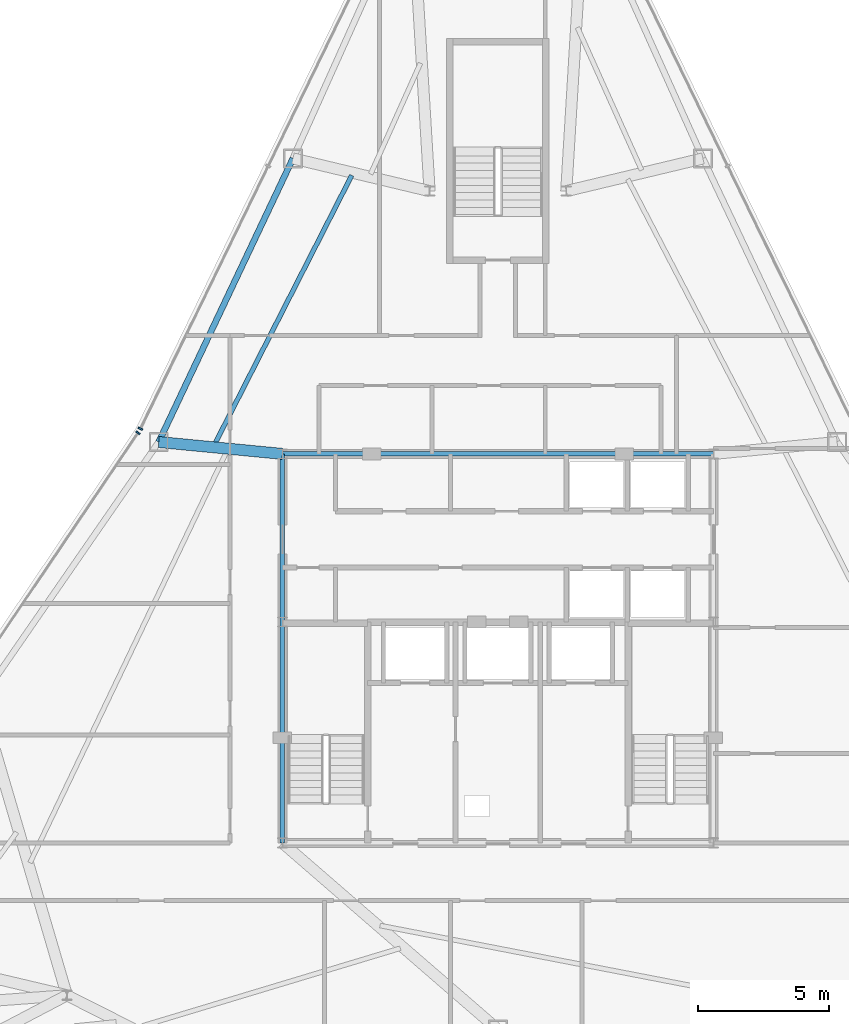
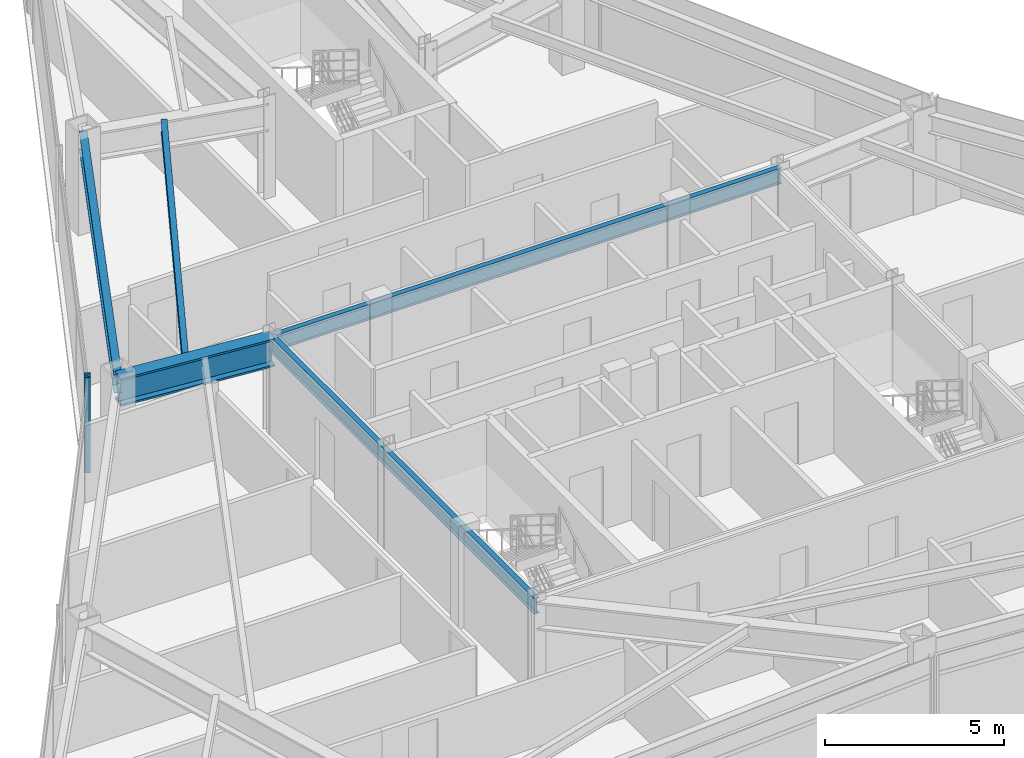
# One storey, part 5 of 12: 5 beams, 2 members, 2 elements without a shape of their own.
"""IFC4 building model written with IfcOpenShell, lengths in metres."""

from ifc_helpers import new_model, si_unit, direction, frame, origin, origin_2d, place, context, subcontext, project, spatial, rectangle, i_section, extrude, source, transform, mapped, material, layer, layer_set, material_profile, profile_set, type_object, type_shapes, element, aggregate, save


model = new_model("IFC4")

# Units and contexts
model_context = context("Model", 3, precision=1e-05, world=origin(), true_north=direction((0.0, 1.0)))
body_context = subcontext(model_context, "Body", "Model", "MODEL_VIEW")
ifc_project = project(units=[si_unit("LENGTHUNIT", "METRE"), si_unit("AREAUNIT", "SQUARE_METRE"), si_unit("VOLUMEUNIT", "CUBIC_METRE"), si_unit("PLANEANGLEUNIT", "RADIAN"), si_unit("MASSUNIT", "GRAM", prefix="KILO")], contexts=[model_context])

# Site, building, storey
site_placement = place(None, origin())
site = spatial("IfcSite", under=ifc_project, at=site_placement, CompositionType="ELEMENT")
building_placement = place(site_placement, origin())
building = spatial("IfcBuilding", under=site, at=building_placement, Name="Varakhsha Concourse Tower", CompositionType="ELEMENT")
storey_placement = place(building_placement, frame((0.0, 0.0, 208.39990234375)))
storey = spatial("IfcBuildingStorey", under=building, at=storey_placement, Name="L59", CompositionType="ELEMENT", Elevation=208.39990234375)

# Beams
ifc_material_1 = material(Name="Structural Steel ASTM A992 Grade 50", Category="steel")
ifc_material_profile_1 = material_profile(ifc_material_1, i_section(OverallWidth=0.177978515625, OverallDepth=0.406982421875, WebThickness=0.008056640625, FlangeThickness=0.012939453125, at=origin_2d()), Name="W16X40")
ifc_profile_set_1 = profile_set([ifc_material_profile_1], Name="Structural Steel ASTM A992 Grade 50")
beam_type_1 = type_object("IfcBeamType", Name="BM-JST-W16X40", PredefinedType="JOIST", material=ifc_profile_set_1)
beam_1_placement = place(storey_placement, frame((34.43798828125, 41.7978515625, 3.046630859375), z_axis=(-0.454162340778, -0.890918945931, 0.0), x_axis=(0.890918945931, -0.454162340778, 0.0)))
element("IfcBeam", 1, at=beam_1_placement, inside=storey, type_object=beam_type_1, Name="BM-TJST-L59-04", PredefinedType="JOIST", context=body_context, shape_type="SweptSolid", body=[
    extrude(i_section(OverallWidth=0.177978515625, OverallDepth=0.406982421875, WebThickness=0.008056640625, FlangeThickness=0.012939453125, at=origin_2d()), origin(), (0.0, 0.0, 1.0), 11.501708984375),
])
ifc_material_profile_2 = material_profile(ifc_material_1, i_section(OverallWidth=0.423095703125, OverallDepth=0.947998046875, WebThickness=0.0380859375, FlangeThickness=0.06396484375, at=origin_2d()), Name="W36X302")
ifc_profile_set_2 = profile_set([ifc_material_profile_2], Name="Structural Steel ASTM A992 Grade 50")
beam_type_2 = type_object("IfcBeamType", Name="BM-OUTR-W36X302", PredefinedType="USERDEFINED", material=ifc_profile_set_2)
beam_2_placement = place(storey_placement, frame((31.800048828125, 31.199951171875, 2.776123046875), z_axis=(-0.995426515274, 0.095530375746, 0.0), x_axis=(-0.095530375746, -0.995426515274, 0.0)))
element("IfcBeam", 2, at=beam_2_placement, inside=storey, type_object=beam_type_2, Name="L59 Radial Floor Girder 05", ObjectType="GIRDER", PredefinedType="USERDEFINED", context=body_context, shape_type="SweptSolid", body=[
    extrude(i_section(OverallWidth=0.423095703125, OverallDepth=0.947998046875, WebThickness=0.0380859375, FlangeThickness=0.06396484375, at=origin_2d()), origin(), (0.0, 0.0, 1.0), 4.72802734375),
])
ifc_material_profile_3 = material_profile(ifc_material_1, i_section(OverallWidth=0.1669921875, OverallDepth=0.534912109375, WebThickness=0.010009765625, FlangeThickness=0.01708984375, at=origin_2d()), Name="W21X57")
ifc_profile_set_3 = profile_set([ifc_material_profile_3], Name="Structural Steel ASTM A992 Grade 50")
beam_type_3 = type_object("IfcBeamType", Name="BM-RAD-W21X57", PredefinedType="BEAM", material=ifc_profile_set_3)
beam_3_placement = place(storey_placement, frame((31.800048828125, 31.199951171875, 2.982666015625), z_axis=(1.0, 0.0, 0.0), x_axis=(0.0, 1.0, 0.0)))
element("IfcBeam", 3, at=beam_3_placement, inside=storey, type_object=beam_type_3, Name="BM-TCORE-L59-CN", PredefinedType="BEAM", context=body_context, shape_type="SweptSolid", body=[
    extrude(i_section(OverallWidth=0.1669921875, OverallDepth=0.534912109375, WebThickness=0.010009765625, FlangeThickness=0.01708984375, at=origin_2d()), origin(), (0.0, 0.0, 1.0), 16.39990234375),
])
beam_4_placement = place(storey_placement, frame((31.800048828125, 16.39990234375, 2.982666015625), z_axis=(0.0, 1.0, 0.0), x_axis=(-1.0, 0.0, 0.0)))
element("IfcBeam", 4, at=beam_4_placement, inside=storey, type_object=beam_type_3, Name="BM-TCORE-L59-CW", PredefinedType="BEAM", context=body_context, shape_type="SweptSolid", body=[
    extrude(i_section(OverallWidth=0.1669921875, OverallDepth=0.534912109375, WebThickness=0.010009765625, FlangeThickness=0.01708984375, at=origin_2d()), origin(), (0.0, 0.0, 1.0), 14.800048828125),
])
ifc_material_profile_4 = material_profile(ifc_material_1, i_section(OverallWidth=0.22900390625, OverallDepth=0.612060546875, WebThickness=0.011962890625, FlangeThickness=0.02001953125, at=origin_2d()), Name="W24X84")
ifc_profile_set_4 = profile_set([ifc_material_profile_4], Name="Structural Steel ASTM A992 Grade 50")
beam_type_4 = type_object("IfcBeamType", Name="BM-SPAN-W24X84", PredefinedType="SPANDREL", material=ifc_profile_set_4)
beam_5_placement = place(storey_placement, frame((32.199951171875, 42.442626953125, 2.944091796875), z_axis=(-0.427721486509, -0.903910576318, 0.0), x_axis=(0.903910576318, -0.427721486509, 0.0)))
element("IfcBeam", 5, at=beam_5_placement, inside=storey, type_object=beam_type_4, Name="BM-SPAN-L59-04", PredefinedType="SPANDREL", context=body_context, shape_type="SweptSolid", body=[
    extrude(i_section(OverallWidth=0.22900390625, OverallDepth=0.612060546875, WebThickness=0.011962890625, FlangeThickness=0.02001953125, at=origin_2d()), origin(), (0.0, 0.0, 1.0), 11.938232421875),
])

# Curtain wall, member
ifc_material_2 = material(Name="Anodised Bronze Architectural Aluminium AA 6063-T6", Category="aluminium")
ifc_layer = layer(ifc_material_2, 0.199951171875, Name="CW-SYS-05")
ifc_layer_set = layer_set([ifc_layer], Name="Anodised Bronze Architectural Aluminium AA 6063-T6")
curtain_wall_type = type_object("IfcCurtainWallType", Name="CW-SYS-05", PredefinedType="NOTDEFINED", material=ifc_layer_set)
curtain_wall_1_placement = place(storey_placement, origin())
curtain_wall_1 = element("IfcCurtainWall", 6, at=curtain_wall_1_placement, inside=storey, type_object=curtain_wall_type, Name="L59 Crystal Curtain Wall F2", PredefinedType="NOTDEFINED")
ifc_material_profile_5 = material_profile(ifc_material_2, rectangle(XDim=0.06494140625, YDim=0.179931640625, at=origin_2d()), Name="CWM-180X65")
ifc_profile_set_5 = profile_set([ifc_material_profile_5], Name="Anodised Bronze Architectural Aluminium AA 6063-T6")
member_type = type_object("IfcMemberType", Name="CWM-180X65", PredefinedType="MULLION", material=ifc_profile_set_5)
shared_shape = source(origin(), body_context, "Body", "SweptSolid", [
    extrude(rectangle(XDim=0.06494140625, YDim=0.179931640625, at=origin_2d()), origin(), (0.0, 0.0, 1.0), 3.25),
])
type_shapes(member_type, [shared_shape])
member_1_placement = place(storey_placement, frame((26.396240234375, 32.159423828125, 0.0), z_axis=(0.0, 0.0, 1.0), x_axis=(0.437497178592, 0.899219783325, 0.0)))
member_1 = element("IfcMember", 7, at=member_1_placement, type_object=member_type, Name="CW-L59-F2 Mullion 00", PredefinedType="MULLION", context=body_context, shape_type="MappedRepresentation", body=[
    mapped(shared_shape, transform((0.0, 0.0, 0.0), scale=1.0)),
])
aggregate(curtain_wall_1, [member_1])

curtain_wall_2_placement = place(storey_placement, origin())
curtain_wall_2 = element("IfcCurtainWall", 8, at=curtain_wall_2_placement, inside=storey, type_object=curtain_wall_type, Name="L59 Crystal Curtain Wall F3", PredefinedType="NOTDEFINED")
member_2_placement = place(storey_placement, frame((26.30517578125, 32.001708984375, 0.0), z_axis=(0.0, 0.0, 1.0), x_axis=(0.559998586649, 0.828493562408, 0.0)))
member_2 = element("IfcMember", 9, at=member_2_placement, type_object=member_type, Name="CW-L59-F3 Mullion 02", PredefinedType="MULLION", context=body_context, shape_type="MappedRepresentation", body=[
    mapped(shared_shape, transform((0.0, 0.0, 0.0), scale=1.0)),
])
aggregate(curtain_wall_2, [member_2])

save(model, "model.ifc")
